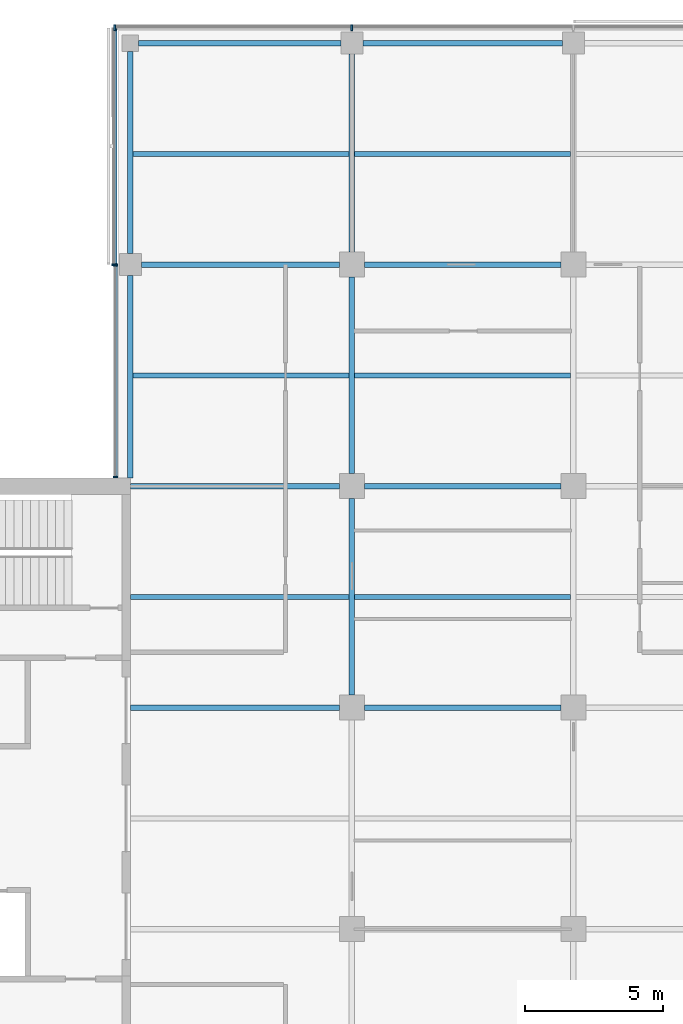
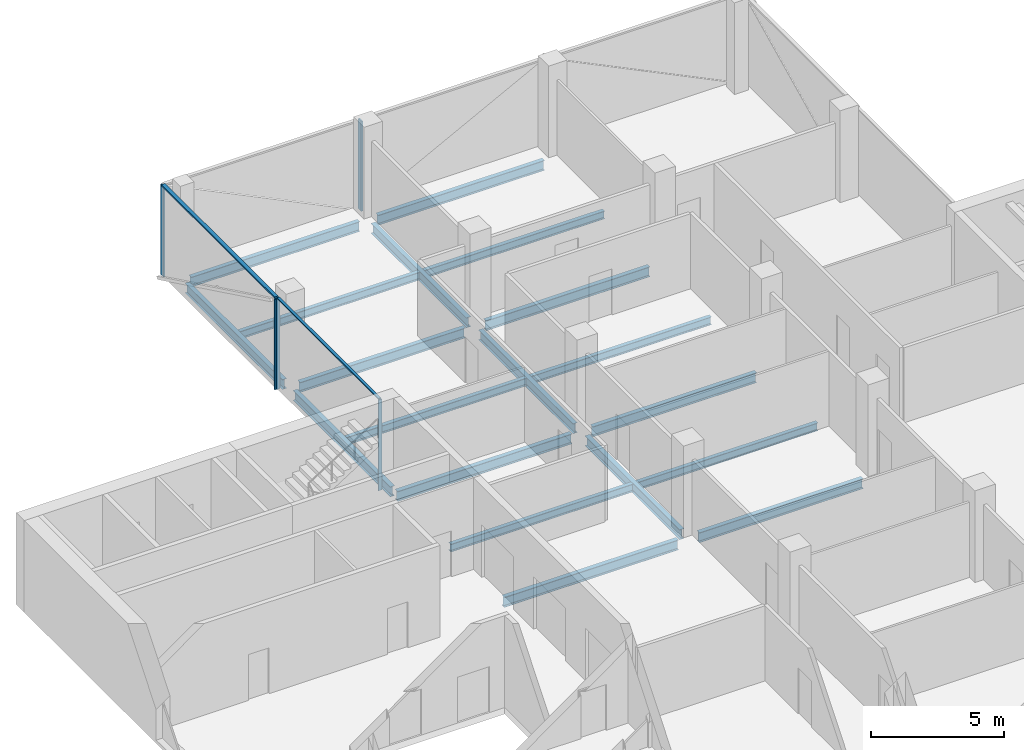
# One storey, part 5 of 15: 19 beams, 7 members, 3 elements without a shape of their own.
"""IFC4 building model written with IfcOpenShell, lengths in metres."""

from ifc_helpers import new_model, si_unit, direction, frame, origin, origin_2d, place, context, subcontext, project, spatial, rectangle, i_section, extrude, material, material_profile, profile_set, type_object, element, aggregate, save


model = new_model("IFC4")

# Units and contexts
model_context = context("Model", 3, precision=1e-05, world=origin(), true_north=direction((0.0, 1.0)))
body_context = subcontext(model_context, "Body", "Model", "MODEL_VIEW")
ifc_project = project(units=[si_unit("LENGTHUNIT", "METRE"), si_unit("AREAUNIT", "SQUARE_METRE"), si_unit("VOLUMEUNIT", "CUBIC_METRE"), si_unit("PLANEANGLEUNIT", "RADIAN"), si_unit("MASSUNIT", "GRAM", prefix="KILO")], contexts=[model_context])

# Site, building, storey
site_placement = place(None, origin())
site = spatial("IfcSite", under=ifc_project, at=site_placement, CompositionType="ELEMENT")
building_placement = place(site_placement, origin())
building = spatial("IfcBuilding", under=site, at=building_placement, Name="Crosswind Convention Tower", CompositionType="ELEMENT")
storey_placement = place(building_placement, frame((0.0, 0.0, 195.699951171875)))
storey = spatial("IfcBuildingStorey", under=building, at=storey_placement, Name="L41", CompositionType="ELEMENT", Elevation=195.699951171875)

# Beams
ifc_material_1 = material(Name="Steel S355", Category="steel")
ifc_material_profile_1 = material_profile(ifc_material_1, i_section(OverallWidth=0.18994140625, OverallDepth=0.45361328125, WebThickness=0.008544921875, FlangeThickness=0.0126953125, FilletRadius=0.01025390625, at=origin_2d()), Name="UB 457x191x67")
ifc_profile_set_1 = profile_set([ifc_material_profile_1], Name="Steel S355")
beam_type_1 = type_object("IfcBeamType", Name="Edge beam UB 457x191x67", PredefinedType="SPANDREL", material=ifc_profile_set_1)
for number, where, z_axis, x_axis, name in (
    (1, (113.0, 112.300048828125, -0.52685546875), (0.0, 1.0, 0.0), (-1.0, 0.0, 0.0), "B16 L41 edge beam 3"),
    (2, (113.0, 120.39990234375, -0.52685546875), (0.0, 1.0, 0.0), (-1.0, 0.0, 0.0), "B16 L41 edge beam 4"),
    (3, (113.300048828125, 128.0, -0.52685546875), (1.0, 0.0, 0.0), (0.0, 1.0, 0.0), "B16 L41 edge beam 6"),
):
    element("IfcBeam", number, at=place(storey_placement, frame(where, z_axis=z_axis, x_axis=x_axis)), inside=storey, type_object=beam_type_1, Name=name, PredefinedType="SPANDREL", context=body_context, shape_type="SweptSolid", body=[
        extrude(i_section(OverallWidth=0.18994140625, OverallDepth=0.45361328125, WebThickness=0.008544921875, FlangeThickness=0.0126953125, FilletRadius=0.01025390625, at=origin_2d()), origin(), (0.0, 0.0, 1.0), 7.300048828125),
    ])
beam_1_placement = place(storey_placement, frame((121.39990234375, 128.0, -0.52685546875), z_axis=(1.0, 0.0, 0.0), x_axis=(0.0, 1.0, 0.0)))
element("IfcBeam", 4, at=beam_1_placement, inside=storey, type_object=beam_type_1, Name="B16 L41 edge beam 8", PredefinedType="SPANDREL", context=body_context, shape_type="SweptSolid", body=[
    extrude(i_section(OverallWidth=0.18994140625, OverallDepth=0.45361328125, WebThickness=0.008544921875, FlangeThickness=0.0126953125, FilletRadius=0.01025390625, at=origin_2d()), origin(), (0.0, 0.0, 1.0), 7.2001953125),
])
ifc_material_profile_2 = material_profile(ifc_material_1, i_section(OverallWidth=0.1904296875, OverallDepth=0.457275390625, WebThickness=0.009033203125, FlangeThickness=0.014404296875, FilletRadius=0.01025390625, at=origin_2d()), Name="UB 457x191x75")
ifc_profile_set_2 = profile_set([ifc_material_profile_2], Name="Steel S355")
beam_type_2 = type_object("IfcBeamType", Name="Girder UB 457x191x75", PredefinedType="BEAM", material=ifc_profile_set_2)
beam_2_placement = place(storey_placement, frame((113.39990234375, 120.0, -0.528564453125), z_axis=(1.0, 0.0, 0.0), x_axis=(0.0, 1.0, 0.0)))
element("IfcBeam", 5, at=beam_2_placement, inside=storey, type_object=beam_type_2, Name="B2 L41 girder 2", PredefinedType="BEAM", context=body_context, shape_type="SweptSolid", body=[
    extrude(i_section(OverallWidth=0.1904296875, OverallDepth=0.457275390625, WebThickness=0.009033203125, FlangeThickness=0.014404296875, FilletRadius=0.01025390625, at=origin_2d()), origin(), (0.0, 0.0, 1.0), 7.150146484375),
])
for number, where, z_axis, x_axis, name in (
    (6, (121.0, 104.449951171875, -0.528564453125), (0.0, 1.0, 0.0), (-1.0, 0.0, 0.0), "B2 L41 girder 7"),
    (7, (121.0, 112.449951171875, -0.528564453125), (0.0, 1.0, 0.0), (-1.0, 0.0, 0.0), "B2 L41 girder 8"),
):
    element("IfcBeam", number, at=place(storey_placement, frame(where, z_axis=z_axis, x_axis=x_axis)), inside=storey, type_object=beam_type_2, Name=name, PredefinedType="BEAM", context=body_context, shape_type="SweptSolid", body=[
        extrude(i_section(OverallWidth=0.1904296875, OverallDepth=0.457275390625, WebThickness=0.009033203125, FlangeThickness=0.014404296875, FilletRadius=0.01025390625, at=origin_2d()), origin(), (0.0, 0.0, 1.0), 7.10009765625),
    ])
beam_3_placement = place(storey_placement, frame((121.0, 120.449951171875, -0.528564453125), z_axis=(0.0, 1.0, 0.0), x_axis=(-1.0, 0.0, 0.0)))
element("IfcBeam", 8, at=beam_3_placement, inside=storey, type_object=beam_type_2, Name="B2 L41 girder 9", PredefinedType="BEAM", context=body_context, shape_type="SweptSolid", body=[
    extrude(i_section(OverallWidth=0.1904296875, OverallDepth=0.457275390625, WebThickness=0.009033203125, FlangeThickness=0.014404296875, FilletRadius=0.01025390625, at=origin_2d()), origin(), (0.0, 0.0, 1.0), 7.150146484375),
])
for number, where, z_axis, x_axis, name in (
    (9, (121.449951171875, 104.0, -0.528564453125), (1.0, 0.0, 0.0), (0.0, 1.0, 0.0), "B2 L41 girder 13"),
    (10, (121.449951171875, 112.0, -0.528564453125), (1.0, 0.0, 0.0), (0.0, 1.0, 0.0), "B2 L41 girder 14"),
    (11, (121.449951171875, 120.0, -0.528564453125), (1.0, 0.0, 0.0), (0.0, 1.0, 0.0), "B2 L41 girder 15"),
):
    element("IfcBeam", number, at=place(storey_placement, frame(where, z_axis=z_axis, x_axis=x_axis)), inside=storey, type_object=beam_type_2, Name=name, PredefinedType="BEAM", context=body_context, shape_type="SweptSolid", body=[
        extrude(i_section(OverallWidth=0.1904296875, OverallDepth=0.457275390625, WebThickness=0.009033203125, FlangeThickness=0.014404296875, FilletRadius=0.01025390625, at=origin_2d()), origin(), (0.0, 0.0, 1.0), 7.10009765625),
    ])
ifc_material_profile_3 = material_profile(ifc_material_1, i_section(OverallWidth=0.19140625, OverallDepth=0.460205078125, WebThickness=0.010009765625, FlangeThickness=0.01611328125, FilletRadius=0.01025390625, at=origin_2d()), Name="UB 457x191x82")
ifc_profile_set_3 = profile_set([ifc_material_profile_3], Name="Steel S355")
beam_type_3 = type_object("IfcBeamType", Name="Girder at core wall UB 457x191x82", PredefinedType="BEAM", material=ifc_profile_set_3)
for number, where, z_axis, x_axis, name in (
    (12, (113.0, 104.0, -0.530029296875), (1.0, 0.0, 0.0), (0.0, 1.0, 0.0), "B23 L41 girder at core wall 3"),
    (13, (113.0, 112.0, -0.530029296875), (1.0, 0.0, 0.0), (0.0, 1.0, 0.0), "B23 L41 girder at core wall 4"),
):
    element("IfcBeam", number, at=place(storey_placement, frame(where, z_axis=z_axis, x_axis=x_axis)), inside=storey, type_object=beam_type_3, Name=name, PredefinedType="BEAM", context=body_context, shape_type="SweptSolid", body=[
        extrude(i_section(OverallWidth=0.19140625, OverallDepth=0.460205078125, WebThickness=0.010009765625, FlangeThickness=0.01611328125, FilletRadius=0.01025390625, at=origin_2d()), origin(), (0.0, 0.0, 1.0), 7.550048828125),
    ])

# Curtain wall, members
ifc_material_2 = material(Name="Aluminium unitised curtain wall", Category="aluminium")
curtain_wall_type_1 = type_object("IfcCurtainWallType", Name="CORE END SLOT WALL 160", PredefinedType="USERDEFINED", material=ifc_material_2)
curtain_wall_1_placement = place(storey_placement, origin())
curtain_wall_1 = element("IfcCurtainWall", 14, at=curtain_wall_1_placement, inside=storey, type_object=curtain_wall_type_1, Name="CW6 L41 N-W.1-2 slot", ObjectType="UNITISED", PredefinedType="USERDEFINED")
ifc_material_3 = material(Name="Aluminium mullion", Category="aluminium")
ifc_material_profile_4 = material_profile(ifc_material_3, rectangle(XDim=0.159912109375, YDim=0.050048828125, at=origin_2d()), Name="AL 160X50")
ifc_profile_set_4 = profile_set([ifc_material_profile_4], Name="Aluminium mullion")
member_type_1 = type_object("IfcMemberType", Name="MULLION 50X160", PredefinedType="MULLION", material=ifc_profile_set_4)
member_1_placement = place(storey_placement, frame((112.469970703125, 119.97509765625, -0.300048828125), z_axis=(0.0, 0.0, 1.0), x_axis=(-1.0, 0.0, 0.0)))
member_1 = element("IfcMember", 15, at=member_1_placement, type_object=member_type_1, Name="CW6 mullion 1", PredefinedType="MULLION", context=body_context, shape_type="SweptSolid", body=[
    extrude(rectangle(XDim=0.159912109375, YDim=0.050048828125, at=origin_2d()), origin(), (0.0, 0.0, 1.0), 4.150146484375),
])
member_2_placement = place(storey_placement, frame((112.469970703125, 112.324951171875, -0.300048828125), z_axis=(0.0, 0.0, 1.0), x_axis=(-1.0, 0.0, 0.0)))
member_2 = element("IfcMember", 16, at=member_2_placement, type_object=member_type_1, Name="CW6 mullion 2", PredefinedType="MULLION", context=body_context, shape_type="SweptSolid", body=[
    extrude(rectangle(XDim=0.159912109375, YDim=0.050048828125, at=origin_2d()), origin(), (0.0, 0.0, 1.0), 4.150146484375),
])

curtain_wall_type_2 = type_object("IfcCurtainWallType", Name="OFFICE UNITISED WALL 220", PredefinedType="USERDEFINED", material=ifc_material_2)
curtain_wall_2_placement = place(storey_placement, origin())
curtain_wall_2 = element("IfcCurtainWall", 17, at=curtain_wall_2_placement, inside=storey, type_object=curtain_wall_type_2, Name="CW3 L41 N-TIP 1", ObjectType="UNITISED", PredefinedType="USERDEFINED")
ifc_material_profile_5 = material_profile(ifc_material_3, rectangle(XDim=0.219970703125, YDim=0.070068359375, at=origin_2d()), Name="AL 220X70")
ifc_profile_set_5 = profile_set([ifc_material_profile_5], Name="Aluminium mullion")
member_type_2 = type_object("IfcMemberType", Name="MULLION 70X220", PredefinedType="MULLION", material=ifc_profile_set_5)
member_3_placement = place(storey_placement, frame((121.0, 128.56005859375, -0.300048828125), z_axis=(0.0, 0.0, 1.0), x_axis=(0.0, 1.0, 0.0)))
member_3 = element("IfcMember", 18, at=member_3_placement, type_object=member_type_2, Name="CW3 mullion 3", PredefinedType="MULLION", context=body_context, shape_type="SweptSolid", body=[
    extrude(rectangle(XDim=0.219970703125, YDim=0.070068359375, at=origin_2d()), origin(), (0.0, 0.0, 1.0), 4.130126953125),
])
member_4_placement = place(storey_placement, frame((112.43994140625, 128.56005859375, -0.300048828125), z_axis=(0.0, 0.0, 1.0), x_axis=(0.0, 1.0, 0.0)))
member_4 = element("IfcMember", 19, at=member_4_placement, type_object=member_type_2, Name="CW3 mullion 4", PredefinedType="MULLION", context=body_context, shape_type="SweptSolid", body=[
    extrude(rectangle(XDim=0.219970703125, YDim=0.070068359375, at=origin_2d()), origin(), (0.0, 0.0, 1.0), 4.130126953125),
])
aggregate(curtain_wall_2, [member_3, member_4])

# Curtain wall, member
curtain_wall_3_placement = place(storey_placement, origin())
curtain_wall_3 = element("IfcCurtainWall", 20, at=curtain_wall_3_placement, inside=storey, type_object=curtain_wall_type_2, Name="CW3 L41 N-W 1", ObjectType="UNITISED", PredefinedType="USERDEFINED")
member_5_placement = place(storey_placement, frame((112.43994140625, 120.0, -0.300048828125), z_axis=(0.0, 0.0, 1.0), x_axis=(-1.0, 0.0, 0.0)))
member_5 = element("IfcMember", 21, at=member_5_placement, type_object=member_type_2, Name="CW3 mullion 2", PredefinedType="MULLION", context=body_context, shape_type="SweptSolid", body=[
    extrude(rectangle(XDim=0.219970703125, YDim=0.070068359375, at=origin_2d()), origin(), (0.0, 0.0, 1.0), 4.130126953125),
])

# Beams
ifc_material_profile_6 = material_profile(ifc_material_1, i_section(OverallWidth=0.172119140625, OverallDepth=0.358642578125, WebThickness=0.008056640625, FlangeThickness=0.012939453125, FilletRadius=0.01025390625, at=origin_2d()), Name="UB 356x171x57")
ifc_profile_set_6 = profile_set([ifc_material_profile_6], Name="Steel S355")
beam_type_4 = type_object("IfcBeamType", Name="Secondary beam UB 356x171x57", PredefinedType="JOIST", material=ifc_profile_set_6)
beam_4_placement = place(storey_placement, frame((113.0, 108.0, -0.479248046875), z_axis=(1.0, 0.0, 0.0), x_axis=(0.0, 1.0, 0.0)))
element("IfcBeam", 22, at=beam_4_placement, inside=storey, type_object=beam_type_4, Name="B9 L41 secondary beam 3", PredefinedType="JOIST", context=body_context, shape_type="SweptSolid", body=[
    extrude(i_section(OverallWidth=0.172119140625, OverallDepth=0.358642578125, WebThickness=0.008056640625, FlangeThickness=0.012939453125, FilletRadius=0.01025390625, at=origin_2d()), origin(), (0.0, 0.0, 1.0), 7.90478515625),
])
for number, where, z_axis, x_axis, name in (
    (23, (113.094970703125, 116.0, -0.479248046875), (1.0, 0.0, 0.0), (0.0, 1.0, 0.0), "B9 L41 secondary beam 6"),
    (24, (113.094970703125, 124.0, -0.479248046875), (1.0, 0.0, 0.0), (0.0, 1.0, 0.0), "B9 L41 secondary beam 7"),
):
    element("IfcBeam", number, at=place(storey_placement, frame(where, z_axis=z_axis, x_axis=x_axis)), inside=storey, type_object=beam_type_4, Name=name, PredefinedType="JOIST", context=body_context, shape_type="SweptSolid", body=[
        extrude(i_section(OverallWidth=0.172119140625, OverallDepth=0.358642578125, WebThickness=0.008056640625, FlangeThickness=0.012939453125, FilletRadius=0.01025390625, at=origin_2d()), origin(), (0.0, 0.0, 1.0), 7.809814453125),
    ])
for number, where, z_axis, x_axis, name in (
    (25, (121.09521484375, 108.0, -0.479248046875), (1.0, 0.0, 0.0), (0.0, 1.0, 0.0), "B9 L41 secondary beam 12"),
    (26, (121.09521484375, 116.0, -0.479248046875), (1.0, 0.0, 0.0), (0.0, 1.0, 0.0), "B9 L41 secondary beam 13"),
    (27, (121.09521484375, 124.0, -0.479248046875), (1.0, 0.0, 0.0), (0.0, 1.0, 0.0), "B9 L41 secondary beam 14"),
):
    element("IfcBeam", number, at=place(storey_placement, frame(where, z_axis=z_axis, x_axis=x_axis)), inside=storey, type_object=beam_type_4, Name=name, PredefinedType="JOIST", context=body_context, shape_type="SweptSolid", body=[
        extrude(i_section(OverallWidth=0.172119140625, OverallDepth=0.358642578125, WebThickness=0.008056640625, FlangeThickness=0.012939453125, FilletRadius=0.01025390625, at=origin_2d()), origin(), (0.0, 0.0, 1.0), 7.8095703125),
    ])

# Member
ifc_material_4 = material(Name="Aluminium transom", Category="aluminium")
ifc_material_profile_7 = material_profile(ifc_material_4, rectangle(XDim=0.1201171875, YDim=0.050048828125, at=origin_2d()), Name="AL 120X50")
ifc_profile_set_7 = profile_set([ifc_material_profile_7], Name="Aluminium transom")
member_type_3 = type_object("IfcMemberType", Name="TRANSOM 50X120", PredefinedType="USERDEFINED", material=ifc_profile_set_7)
member_6_placement = place(storey_placement, frame((112.469970703125, 119.949951171875, 3.875), z_axis=(0.0, -1.0, 0.0), x_axis=(1.0, 0.0, 0.0)))
member_6 = element("IfcMember", 28, at=member_6_placement, type_object=member_type_3, Name="CW6 transom", ObjectType="TRANSOM", PredefinedType="USERDEFINED", context=body_context, shape_type="SweptSolid", body=[
    extrude(rectangle(XDim=0.1201171875, YDim=0.050048828125, at=origin_2d()), origin(), (0.0, 0.0, 1.0), 7.599853515625),
])

aggregate(curtain_wall_1, [member_1, member_2, member_6])

ifc_material_profile_8 = material_profile(ifc_material_4, rectangle(XDim=0.159912109375, YDim=0.070068359375, at=origin_2d()), Name="AL 160X70")
ifc_profile_set_8 = profile_set([ifc_material_profile_8], Name="Aluminium transom")
member_type_4 = type_object("IfcMemberType", Name="TRANSOM 70X160", PredefinedType="USERDEFINED", material=ifc_profile_set_8)
member_7_placement = place(storey_placement, frame((112.43994140625, 128.52490234375, 3.864990234375), z_axis=(0.0, -1.0, 0.0), x_axis=(1.0, 0.0, 0.0)))
member_7 = element("IfcMember", 29, at=member_7_placement, type_object=member_type_4, Name="CW3 transom", ObjectType="TRANSOM", PredefinedType="USERDEFINED", context=body_context, shape_type="SweptSolid", body=[
    extrude(rectangle(XDim=0.159912109375, YDim=0.070068359375, at=origin_2d()), origin(), (0.0, 0.0, 1.0), 8.489990234375),
])

aggregate(curtain_wall_3, [member_5, member_7])

save(model, "model.ifc")
